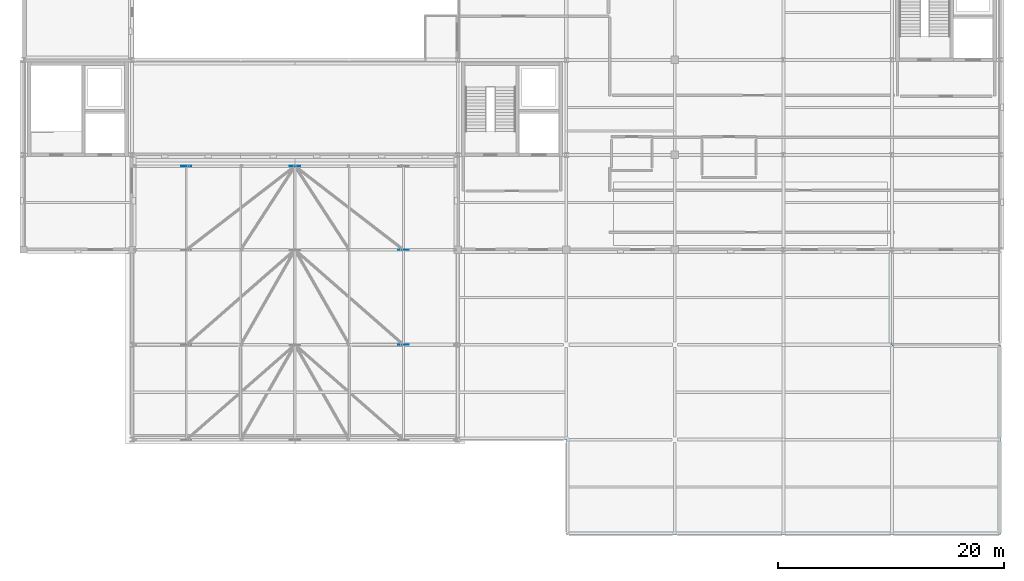
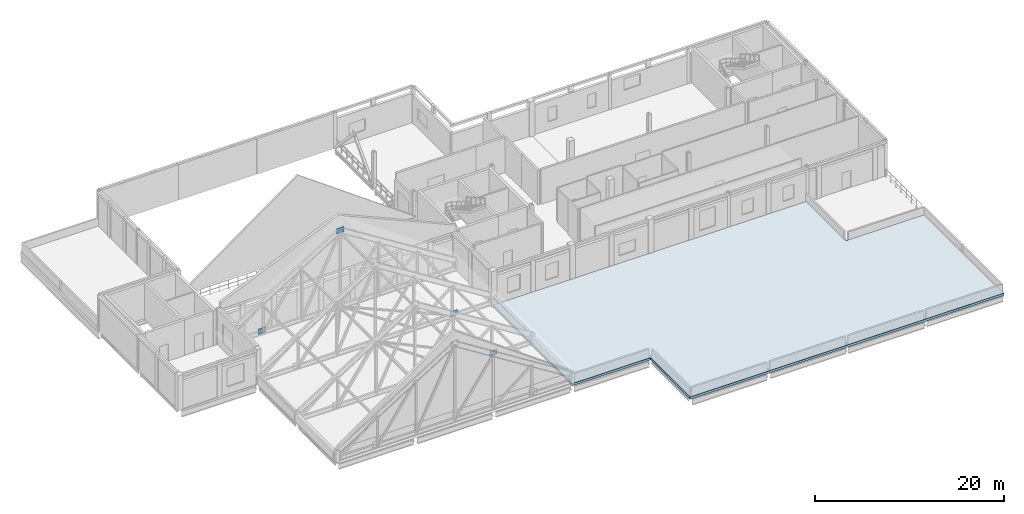
# One storey, part 18 of 26: 4 plates, 1 slab.
"""IFC4 building model written with IfcOpenShell, lengths in metres."""

from ifc_helpers import new_model, si_unit, direction, frame, origin, origin_2d, place, context, subcontext, project, spatial, polyline, rectangle, outline, extrude, material, layer, layer_set, type_object, element, save


model = new_model("IFC4")

# Units and contexts
model_context = context("Model", 3, precision=1e-05, world=origin(), true_north=direction((0.0, 1.0)))
body_context = subcontext(model_context, "Body", "Model", "MODEL_VIEW")
ifc_project = project(units=[si_unit("LENGTHUNIT", "METRE"), si_unit("AREAUNIT", "SQUARE_METRE"), si_unit("VOLUMEUNIT", "CUBIC_METRE"), si_unit("PLANEANGLEUNIT", "RADIAN"), si_unit("MASSUNIT", "GRAM", prefix="KILO")], contexts=[model_context])

# Site, building, storey
site_placement = place(None, origin())
site = spatial("IfcSite", under=ifc_project, at=site_placement, CompositionType="ELEMENT")
building_placement = place(site_placement, origin())
building = spatial("IfcBuilding", under=site, at=building_placement, Name="Lornevale Opera House", CompositionType="ELEMENT")
storey_placement = place(building_placement, frame((0.0, 0.0, 19.800048828125)))
storey = spatial("IfcBuildingStorey", under=building, at=storey_placement, Name="L05", CompositionType="ELEMENT", Elevation=19.800048828125)

# Plates
ifc_material_1 = material(Name="Structural Steel CSA G40.21 Grade 350W (350 MPa)", Category="steel")
ifc_layer_1 = layer(ifc_material_1, 0.028076171875)
ifc_layer_set_1 = layer_set([ifc_layer_1], Name="Structural Steel CSA G40.21 Grade 350W (350 MPa)")
plate_type = type_object("IfcPlateType", Name="Auditorium Truss Gusset 900x700x28", PredefinedType="USERDEFINED", material=ifc_layer_set_1)
for number, where, z_axis, x_axis, name in (
    (1, (91.199951171875, 42.0, 0.25), (0.0, 0.0, 1.0), (1.0, 0.0, 0.0), "Auditorium Truss Gusset PT-0014"),
    (2, (91.199951171875, 50.39990234375, 0.25), (0.0, 0.0, 1.0), (1.0, 0.0, 0.0), "Auditorium Truss Gusset PT-0020"),
    (3, (81.60009765625, 57.800048828125, 9.873046875), (0.0, 0.0, 1.0), (1.0, 0.0, 0.0), "Auditorium Truss Gusset PT-0024"),
    (4, (72.0, 57.800048828125, 0.25), (0.0, 0.0, 1.0), (1.0, 0.0, 0.0), "Auditorium Truss Gusset PT-0025"),
):
    element("IfcPlate", number, at=place(storey_placement, frame(where, z_axis=z_axis, x_axis=x_axis)), inside=storey, type_object=plate_type, Name=name, ObjectType="GUSSET PLATE", PredefinedType="USERDEFINED", context=body_context, shape_type="SweptSolid", body=[
        extrude(rectangle(XDim=0.89990234375, YDim=0.028076171875, at=origin_2d()), origin(), (0.0, 0.0, 1.0), 0.699951171875),
    ])

# Slab
ifc_material_2 = material(Name="Concrete 35 MPa (CSA A23.1 N)", Category="concrete")
ifc_layer_2 = layer(ifc_material_2, 0.2900390625)
ifc_layer_set_2 = layer_set([ifc_layer_2], Name="Concrete 35 MPa (CSA A23.1 N)")
slab_type = type_object("IfcSlabType", Name="Vegetated Green Roof Slab 290", PredefinedType="ROOF", material=ifc_layer_set_2)
slab_placement = place(storey_placement, frame((0.0, 0.0, -0.2900390625)))
element("IfcSlab", 5, at=slab_placement, inside=storey, type_object=slab_type, Name="Unoccupied Maintenance Vegetated Green Roof Slab SL-083", PredefinedType="ROOF", context=body_context, shape_type="SweptSolid", body=[
    extrude(outline(polyline([(105.60009765625, 33.60009765625), (96.0, 33.60009765625), (96.0, 42.0), (96.0, 50.39990234375), (105.60009765625, 50.39990234375), (115.199951171875, 50.39990234375), (124.800048828125, 50.39990234375), (134.39990234375, 50.39990234375), (134.39990234375, 42.0), (144.0, 42.0), (144.0, 33.60009765625), (144.0, 25.199951171875), (134.39990234375, 25.199951171875), (124.800048828125, 25.199951171875), (115.199951171875, 25.199951171875), (105.60009765625, 25.199951171875), (105.60009765625, 33.60009765625)])), origin(), (0.0, 0.0, 1.0), 0.2900390625),
])

save(model, "model.ifc")
